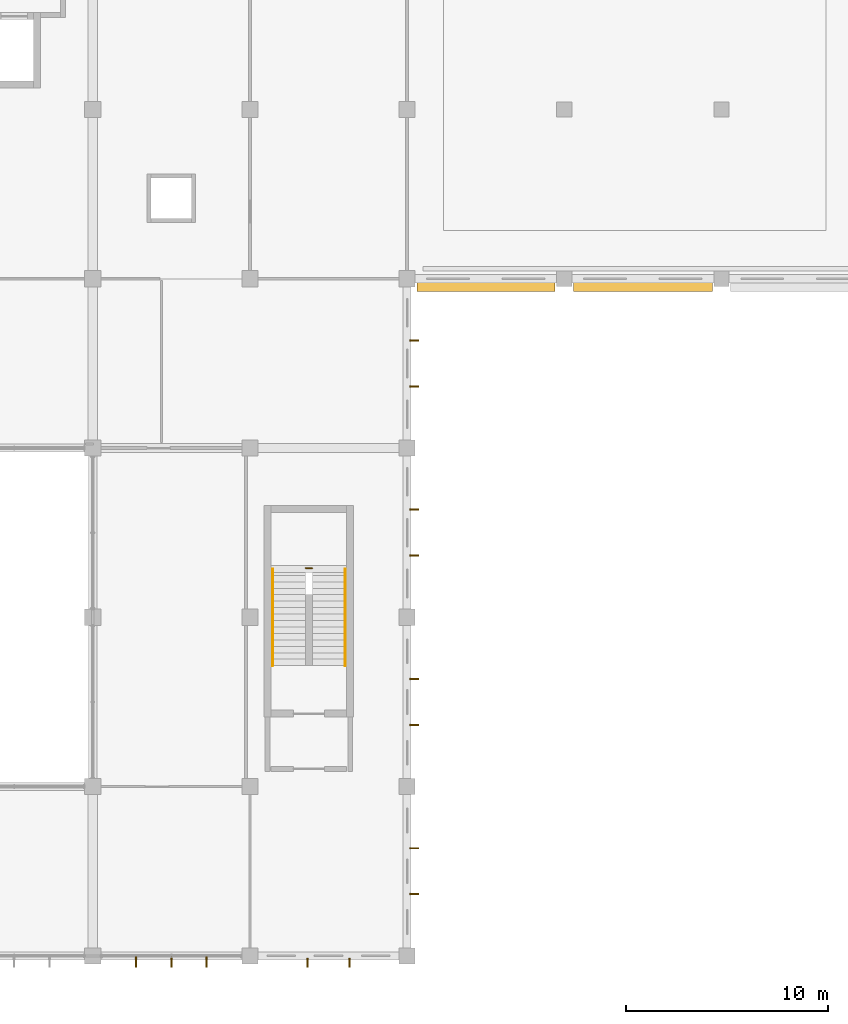
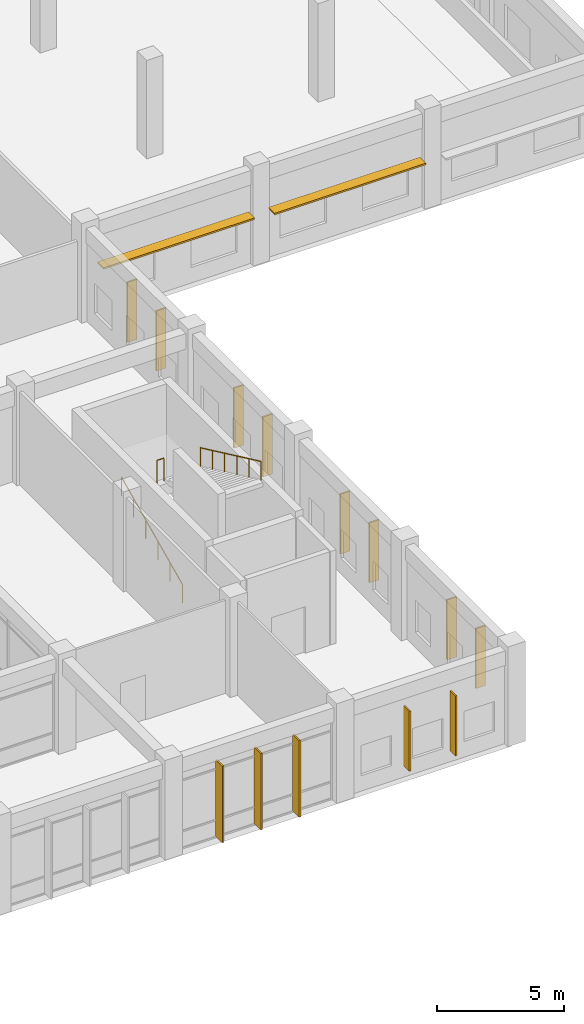
# One storey, part 60 of 62: 15 shading devices, 3 railings.
"""IFC4 building model written with IfcOpenShell, lengths in metres."""

from ifc_helpers import new_model, si_unit, direction, frame, origin, origin_2d, place, context, subcontext, project, spatial, rectangle, circle, extrude, material, layer, layer_set, type_object, element, save


model = new_model("IFC4")

# Units and contexts
model_context = context("Model", 3, precision=1e-05, world=origin(), true_north=direction((0.0, 1.0)))
body_context = subcontext(model_context, "Body", "Model", "MODEL_VIEW")
ifc_project = project(units=[si_unit("LENGTHUNIT", "METRE"), si_unit("AREAUNIT", "SQUARE_METRE"), si_unit("VOLUMEUNIT", "CUBIC_METRE"), si_unit("PLANEANGLEUNIT", "RADIAN"), si_unit("MASSUNIT", "GRAM", prefix="KILO"), si_unit("THERMODYNAMICTEMPERATUREUNIT", "KELVIN"), si_unit("POWERUNIT", "WATT")], contexts=[model_context])

# Site, building, storey
site_placement = place(None, origin())
site = spatial("IfcSite", under=ifc_project, at=site_placement, CompositionType="ELEMENT")
building_placement = place(site_placement, origin())
building = spatial("IfcBuilding", under=site, at=building_placement, Name="Srebrne Nadtorze General Hospital", CompositionType="ELEMENT")
storey_placement = place(building_placement, frame((0.0, 0.0, 9.60009765625)))
storey = spatial("IfcBuildingStorey", under=building, at=storey_placement, Name="L02", CompositionType="ELEMENT", Elevation=9.60009765625)

# Shading devices
ifc_material_1 = material(Name="Anodised Aluminium", Category="aluminium")
ifc_layer_1 = layer(ifc_material_1, 0.080078125)
ifc_layer_set_1 = layer_set([ifc_layer_1], Name="Anodised Aluminium")
shading_device_type_1 = type_object("IfcShadingDeviceType", Name="Hisashi horizontal aluminium sunshade", PredefinedType="JALOUSIE", material=ifc_layer_set_1)
shading_device_1_placement = place(storey_placement, frame((152.112548828125, 33.219970703125, 2.419921875), z_axis=(0.0, 0.0, 1.0), x_axis=(1.0, 0.0, 0.0)))
element("IfcShadingDevice", 1, at=shading_device_1_placement, inside=storey, type_object=shading_device_type_1, Name="Hisashi horizontal sunshade eave LV-146", PredefinedType="JALOUSIE", context=body_context, shape_type="SweptSolid", body=[
    extrude(rectangle(XDim=6.864990234375, YDim=0.47998046875, at=origin_2d()), origin(), (0.0, 0.0, 1.0), 0.080078125),
])
shading_device_2_placement = place(storey_placement, frame((159.89990234375, 33.219970703125, 2.31982421875), z_axis=(0.0, 0.0, 1.0), x_axis=(1.0, 0.0, 0.0)))
element("IfcShadingDevice", 2, at=shading_device_2_placement, inside=storey, type_object=shading_device_type_1, Name="Hisashi horizontal sunshade eave LV-147", PredefinedType="JALOUSIE", context=body_context, shape_type="SweptSolid", body=[
    extrude(rectangle(XDim=6.889892578125, YDim=0.47998046875, at=origin_2d()), origin(), (0.0, 0.0, 1.0), 0.080078125),
])
ifc_material_2 = material(Name="Anodised Aluminium", Category="aluminium")
ifc_layer_2 = layer(ifc_material_2, 0.070068359375)
ifc_layer_set_2 = layer_set([ifc_layer_2], Name="Anodised Aluminium")
shading_device_type_2 = type_object("IfcShadingDeviceType", Name="Koushi vertical brise-soleil fin", PredefinedType="SHUTTER", material=ifc_layer_set_2)
for number, where, z_axis, x_axis, name in (
    (3, (134.75, -0.300048828125, 0.06005859375), (0.0, 0.0, 1.0), (1.0, 0.0, 0.0), "Koushi vertical brise-soleil fin LV-141"),
    (4, (136.5, -0.300048828125, 0.06005859375), (0.0, 0.0, 1.0), (1.0, 0.0, 0.0), "Koushi vertical brise-soleil fin LV-142"),
    (5, (138.25, -0.300048828125, 0.06005859375), (0.0, 0.0, 1.0), (1.0, 0.0, 0.0), "Koushi vertical brise-soleil fin LV-143"),
):
    element("IfcShadingDevice", number, at=place(storey_placement, frame(where, z_axis=z_axis, x_axis=x_axis)), inside=storey, type_object=shading_device_type_2, Name=name, PredefinedType="SHUTTER", context=body_context, shape_type="SweptSolid", body=[
        extrude(rectangle(XDim=0.070068359375, YDim=0.52001953125, at=origin_2d()), origin(), (0.0, 0.0, 1.0), 3.679931640625),
    ])
for number, where, z_axis, x_axis, name in (
    (6, (143.25, -0.35009765625, 0.53173828125), (0.0, 0.0, 1.0), (1.0, 0.0, 0.0), "Clinic koushi vertical fin LV-144"),
    (7, (145.35009765625, -0.35009765625, 0.53173828125), (0.0, 0.0, 1.0), (1.0, 0.0, 0.0), "Clinic koushi vertical fin LV-145"),
):
    element("IfcShadingDevice", number, at=place(storey_placement, frame(where, z_axis=z_axis, x_axis=x_axis)), inside=storey, type_object=shading_device_type_2, Name=name, PredefinedType="SHUTTER", context=body_context, shape_type="SweptSolid", body=[
        extrude(rectangle(XDim=0.070068359375, YDim=0.43994140625, at=origin_2d()), origin(), (0.0, 0.0, 1.0), 2.887939453125),
    ])
for number, where, z_axis, x_axis, name in (
    (8, (148.550048828125, 3.06005859375, 0.53173828125), (0.0, 0.0, 1.0), (1.0, 0.0, 0.0), "Clinic koushi vertical fin LV-176"),
    (9, (148.550048828125, 5.340087890625, 0.53173828125), (0.0, 0.0, 1.0), (1.0, 0.0, 0.0), "Clinic koushi vertical fin LV-177"),
    (10, (148.550048828125, 11.4599609375, 0.53173828125), (0.0, 0.0, 1.0), (1.0, 0.0, 0.0), "Clinic koushi vertical fin LV-178"),
    (11, (148.550048828125, 13.739990234375, 0.53173828125), (0.0, 0.0, 1.0), (1.0, 0.0, 0.0), "Clinic koushi vertical fin LV-179"),
    (12, (148.550048828125, 19.860107421875, 0.53173828125), (0.0, 0.0, 1.0), (1.0, 0.0, 0.0), "Clinic koushi vertical fin LV-180"),
    (13, (148.550048828125, 22.139892578125, 0.53173828125), (0.0, 0.0, 1.0), (1.0, 0.0, 0.0), "Clinic koushi vertical fin LV-181"),
    (14, (148.550048828125, 28.260009765625, 0.53173828125), (0.0, 0.0, 1.0), (1.0, 0.0, 0.0), "Clinic koushi vertical fin LV-182"),
    (15, (148.550048828125, 30.5400390625, 0.53173828125), (0.0, 0.0, 1.0), (1.0, 0.0, 0.0), "Clinic koushi vertical fin LV-183"),
):
    element("IfcShadingDevice", number, at=place(storey_placement, frame(where, z_axis=z_axis, x_axis=x_axis)), inside=storey, type_object=shading_device_type_2, Name=name, PredefinedType="SHUTTER", context=body_context, shape_type="SweptSolid", body=[
        extrude(rectangle(XDim=0.43994140625, YDim=0.070068359375, at=origin_2d()), origin(), (0.0, 0.0, 1.0), 2.887939453125),
    ])

# Railings
ifc_material_3 = material(Name="Stainless Steel 316", Category="steel")
railing_type_1 = type_object("IfcRailingType", Name="Stairwell safety guard 1120", PredefinedType="BALUSTRADE", material=ifc_material_3)
railing_1_placement = place(storey_placement, frame((143.1650390625, 19.239990234375, 2.39990234375)))
element("IfcRailing", 16, at=railing_1_placement, inside=storey, type_object=railing_type_1, Name="Half landing well guard ST-08-L02", PredefinedType="BALUSTRADE", context=body_context, shape_type="SweptSolid", body=[
    extrude(circle(Radius=0.02392578125, at=origin_2d()), frame((0.0, 0.0, 1.09619140625), z_axis=(1.0, 0.0, 0.0), x_axis=(0.0, 1.0, 0.0)), (0.0, 0.0, 1.0), 0.320068359375),
    extrude(circle(Radius=0.02099609375, at=origin_2d()), origin(), (0.0, 0.0, 1.0), 1.072021484375),
    extrude(circle(Radius=0.02099609375, at=origin_2d()), frame((0.320068359375, 0.0, 0.0)), (0.0, 0.0, 1.0), 1.072021484375),
])
ifc_material_4 = material(Name="Stainless Steel 316", Category="steel")
railing_type_2 = type_object("IfcRailingType", Name="Tubular stainless handrail 920", PredefinedType="HANDRAIL", material=ifc_material_4)
railing_2_placement = place(storey_placement, frame((141.530029296875, 14.39990234375, 0.14990234375)))
element("IfcRailing", 17, at=railing_2_placement, inside=storey, type_object=railing_type_2, Name="Stair flight handrail ST-08-L02 F1", PredefinedType="HANDRAIL", context=body_context, shape_type="SweptSolid", body=[
    extrude(circle(Radius=0.02392578125, at=origin_2d()), frame((0.0, 0.0, 0.89599609375), z_axis=(0.0, 0.90546059521, 0.424430336476), x_axis=(-1.0, 0.0, 0.0)), (0.0, 0.0, 1.0), 5.30126953125),
    extrude(circle(Radius=0.02099609375, at=origin_2d()), origin(), (0.0, 0.0, 1.0), 0.871826171875),
    extrude(circle(Radius=0.02099609375, at=origin_2d()), frame((0.0, 0.9599609375, 0.449951171875)), (0.0, 0.0, 1.0), 0.871826171875),
    extrude(circle(Radius=0.02099609375, at=origin_2d()), frame((0.0, 1.919921875, 0.89990234375)), (0.0, 0.0, 1.0), 0.871826171875),
    extrude(circle(Radius=0.02099609375, at=origin_2d()), frame((0.0, 2.880126953125, 1.35009765625)), (0.0, 0.0, 1.0), 0.871826171875),
    extrude(circle(Radius=0.02099609375, at=origin_2d()), frame((0.0, 3.840087890625, 1.800048828125)), (0.0, 0.0, 1.0), 0.871826171875),
    extrude(circle(Radius=0.02099609375, at=origin_2d()), frame((0.0, 4.800048828125, 2.25)), (0.0, 0.0, 1.0), 0.871826171875),
])
railing_3_placement = place(storey_placement, frame((145.1201171875, 19.199951171875, 2.5498046875)))
element("IfcRailing", 18, at=railing_3_placement, inside=storey, type_object=railing_type_2, Name="Stair flight handrail ST-08-L02 F2", PredefinedType="HANDRAIL", context=body_context, shape_type="SweptSolid", body=[
    extrude(circle(Radius=0.02392578125, at=origin_2d()), frame((0.0, 0.0, 0.89599609375), z_axis=(0.0, -0.90546059521, 0.424430336476), x_axis=(1.0, 0.0, 0.0)), (0.0, 0.0, 1.0), 5.30126953125),
    extrude(circle(Radius=0.02099609375, at=origin_2d()), origin(), (0.0, 0.0, 1.0), 0.871826171875),
    extrude(circle(Radius=0.02099609375, at=origin_2d()), frame((0.0, -0.9599609375, 0.449951171875)), (0.0, 0.0, 1.0), 0.871826171875),
    extrude(circle(Radius=0.02099609375, at=origin_2d()), frame((0.0, -1.919921875, 0.89990234375)), (0.0, 0.0, 1.0), 0.871826171875),
    extrude(circle(Radius=0.02099609375, at=origin_2d()), frame((0.0, -2.880126953125, 1.35009765625)), (0.0, 0.0, 1.0), 0.871826171875),
    extrude(circle(Radius=0.02099609375, at=origin_2d()), frame((0.0, -3.840087890625, 1.800048828125)), (0.0, 0.0, 1.0), 0.871826171875),
    extrude(circle(Radius=0.02099609375, at=origin_2d()), frame((0.0, -4.800048828125, 2.25)), (0.0, 0.0, 1.0), 0.871826171875),
])

save(model, "model.ifc")
